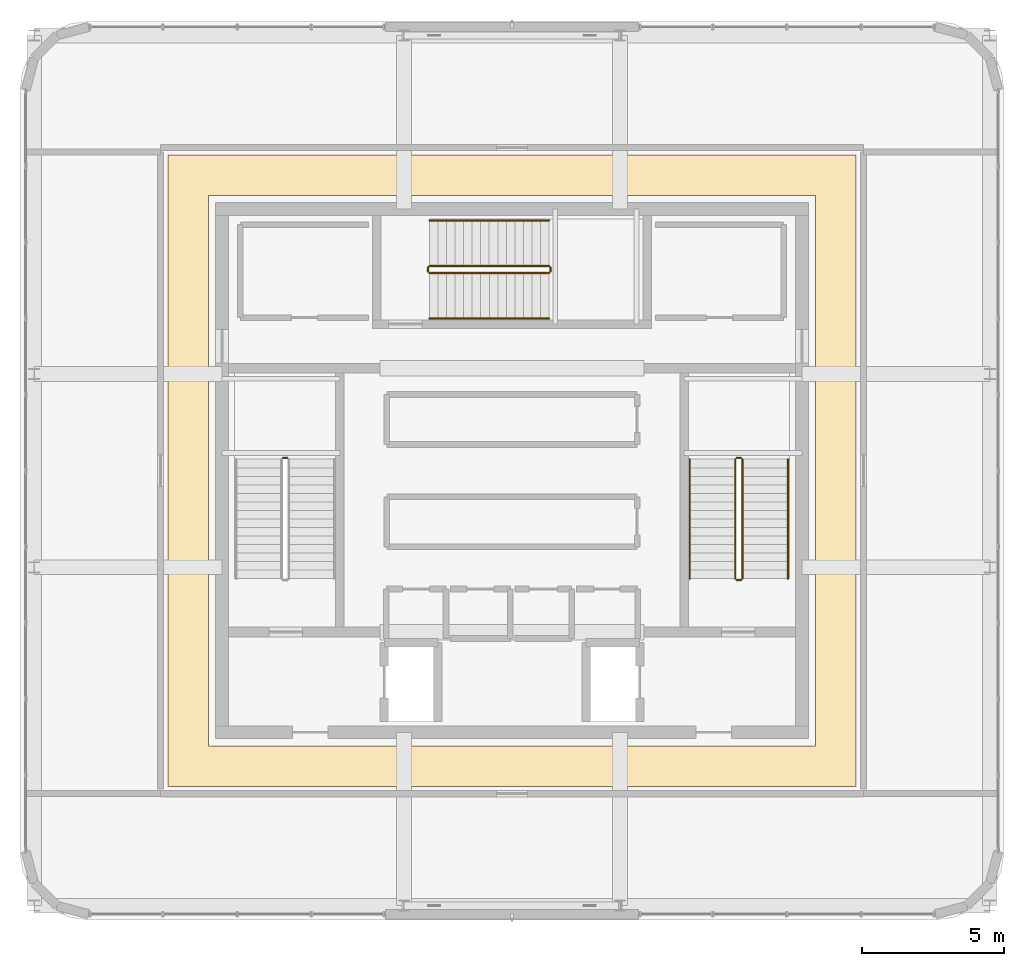
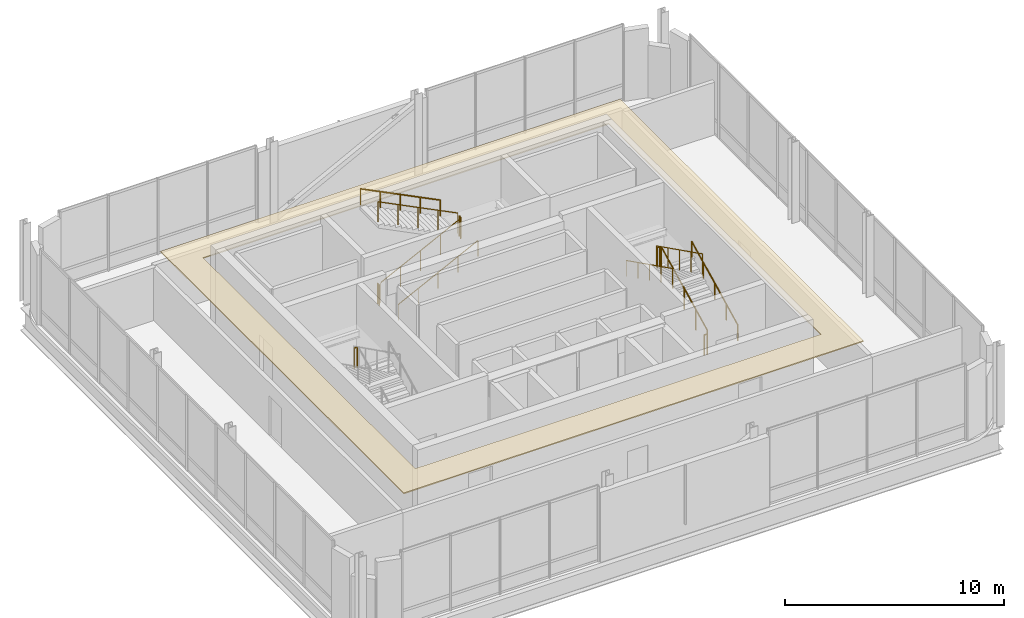
# One storey, part 24 of 25: 13 railings, 1 covering.
"""IFC4 building model written with IfcOpenShell, lengths in metres."""

import ifcopenshell
import ifcopenshell.guid

model = None  # the IFC model being written
_history = None  # IfcOwnerHistory: only IFC2X3 demands one
_inside = {}  # id of a spatial element -> (the spatial element, [elements in it])
_under = {}  # id of a project, library or spatial element -> (it, [spatial elements below it])
_declared = {}  # id of a project -> (the project, [libraries it declares])
_typed = {}  # id of a type object -> (the type object, [elements of that type])
_made_of = {}  # id of a material, layer set ... -> (it, [elements and type objects made of it])


def new_model(schema):
    """Start an empty IFC model of exactly this schema.

    Asked for "IFC4X3", IfcOpenShell would pick the latest addendum, in which some entities
    have other attributes; the version numbers below select the first issue.
    IFC2X3 requires an IfcOwnerHistory on every rooted entity: one is made here for all.
    """
    global model, _history
    if schema == "IFC4X3":
        model = ifcopenshell.file(schema_version=(4, 3, 0, 0))
    else:
        model = ifcopenshell.file(schema=schema)
    _inside.clear()
    _under.clear()
    _declared.clear()
    _typed.clear()
    _made_of.clear()
    _history = None
    if model.schema == "IFC2X3":
        org = make("IfcOrganization", Name="unknown")
        user = make(
            "IfcPersonAndOrganization",
            ThePerson=make("IfcPerson", FamilyName="unknown"),
            TheOrganization=org,
        )
        app = make(
            "IfcApplication",
            ApplicationDeveloper=org,
            Version="unknown",
            ApplicationFullName="unknown",
            ApplicationIdentifier="unknown",
        )
        _history = make(
            "IfcOwnerHistory",
            OwningUser=user,
            OwningApplication=app,
            ChangeAction="ADDED",
            CreationDate=0,
        )
    return model


def make(cls, **values):
    """One entity of the class cls with the attributes given. An attribute that is None is left unset."""
    return model.create_entity(
        cls, **{name: value for name, value in values.items() if value is not None}
    )


def rooted(cls, **values):
    """An entity with a GlobalId (a new one), such as an element, a storey or a relation."""
    return make(cls, GlobalId=ifcopenshell.guid.new(), OwnerHistory=_history, **values)


def si_unit(unit_type, name, prefix=None):
    """IfcSIUnit, for example si_unit("LENGTHUNIT", "METRE", prefix="MILLI")."""
    return make("IfcSIUnit", UnitType=unit_type, Prefix=prefix, Name=name)


def assignment(units):
    """IfcUnitAssignment: the units of a project."""
    return None if units is None else make("IfcUnitAssignment", Units=units)


def point(xyz):
    """IfcCartesianPoint."""
    return None if xyz is None else make("IfcCartesianPoint", Coordinates=xyz)


def direction(xyz):
    """IfcDirection."""
    return None if xyz is None else make("IfcDirection", DirectionRatios=xyz)


def frame(location, z_axis=None, x_axis=None):
    """IfcAxis2Placement3D, a coordinate frame: its origin and axes. An axis left out is left unset."""
    return make(
        "IfcAxis2Placement3D",
        Location=point(location),
        Axis=direction(z_axis),
        RefDirection=direction(x_axis),
    )


def frame_2d(location, x_axis=None):
    """IfcAxis2Placement2D, a coordinate frame in the plane: its origin and x axis."""
    return make(
        "IfcAxis2Placement2D", Location=point(location), RefDirection=direction(x_axis)
    )


def origin():
    """The frame at (0, 0, 0) with its axes left unset."""
    return frame((0.0, 0.0, 0.0))


def origin_2d():
    """The frame at (0, 0) in the plane with its x axis left unset."""
    return frame_2d((0.0, 0.0))


def place(relative_to, where):
    """IfcLocalPlacement: puts the frame where relative to a parent placement (None: the world)."""
    return make(
        "IfcLocalPlacement", PlacementRelTo=relative_to, RelativePlacement=where
    )


def context(
    kind, dimensions, precision=None, world=None, true_north=None, identifier=None
):
    """IfcGeometricRepresentationContext, for example the 3D "Model" context."""
    return make(
        "IfcGeometricRepresentationContext",
        ContextIdentifier=identifier,
        ContextType=kind,
        CoordinateSpaceDimension=dimensions,
        Precision=precision,
        WorldCoordinateSystem=world,
        TrueNorth=true_north,
    )


def subcontext(parent, identifier, kind, view, scale=None):
    """IfcGeometricRepresentationSubContext, for example "Body" below "Model"."""
    return make(
        "IfcGeometricRepresentationSubContext",
        ContextIdentifier=identifier,
        ContextType=kind,
        ParentContext=parent,
        TargetScale=scale,
        TargetView=view,
    )


def project(units=None, contexts=None):
    """IfcProject with its units and contexts."""
    return rooted(
        "IfcProject",
        Name="project",
        RepresentationContexts=contexts,
        UnitsInContext=assignment(units),
    )


def spatial(cls, under=None, at=None, **own):
    """A site, building, storey or space (cls), placed at a placement, below another one or the project."""
    s = rooted(cls, ObjectPlacement=at, **own)
    if under is not None:
        _under.setdefault(under.id(), (under, []))[1].append(s)
    return s


def polyline(points):
    """IfcPolyline through the points."""
    return make("IfcPolyline", Points=[point(p) for p in points])


def profile(cls, at=None, kind="AREA", **sizes):
    """A parametric profile (cls). Its sizes go by their IFC names, for example OverallWidth=200.0."""
    return make(cls, ProfileType=kind, Position=at, **sizes)


def circle(**sizes):
    """IfcCircleProfileDef."""
    return profile("IfcCircleProfileDef", **sizes)


def outline(outer, holes=None, kind="AREA"):
    """IfcArbitraryClosedProfileDef: a profile drawn as a closed curve; with holes, ...WithVoids."""
    if holes is None:
        return make("IfcArbitraryClosedProfileDef", ProfileType=kind, OuterCurve=outer)
    return make(
        "IfcArbitraryProfileDefWithVoids",
        ProfileType=kind,
        OuterCurve=outer,
        InnerCurves=holes,
    )


def extrude(swept, where, along, depth):
    """IfcExtrudedAreaSolid: the profile swept, set in the frame where, extruded along a direction by depth."""
    return make(
        "IfcExtrudedAreaSolid",
        SweptArea=swept,
        Position=where,
        ExtrudedDirection=direction(along),
        Depth=depth,
    )


def shape(context_of_items, identifier, shape_type, items):
    """IfcShapeRepresentation: the items that make up one representation, for example the "Body"."""
    return make(
        "IfcShapeRepresentation",
        ContextOfItems=context_of_items,
        RepresentationIdentifier=identifier,
        RepresentationType=shape_type,
        Items=items,
    )


def material(Name=None, Category=None):
    """IfcMaterial."""
    return make("IfcMaterial", Name=Name, Category=Category)


def layer(
    of_material, thickness, ventilated=None, Name=None, Category=None, Priority=None
):
    """IfcMaterialLayer: one layer of a wall or slab, of a material (None: an air gap)."""
    return make(
        "IfcMaterialLayer",
        Material=of_material,
        LayerThickness=thickness,
        IsVentilated=ventilated,
        Name=Name,
        Category=Category,
        Priority=Priority,
    )


def layer_set(layers, Name=None):
    """IfcMaterialLayerSet."""
    return make("IfcMaterialLayerSet", MaterialLayers=layers, LayerSetName=Name)


def made_of(thing, what):
    """Note that an element or type object is made of a material, layer set ...; save() writes the relation."""
    if what is not None:
        _made_of.setdefault(what.id(), (what, []))[1].append(thing)
    return thing


def type_object(cls, material=None, **own):
    """A type object (cls), such as IfcWallType, which elements share."""
    return made_of(rooted(cls, **own), material)


def element(
    cls,
    number,
    at=None,
    inside=None,
    cuts=None,
    type_object=None,
    material=None,
    context=None,
    identifier="Body",
    shape_type=None,
    held_by="IfcProductDefinitionShape",
    body=None,
    shapes=None,
    **own,
):
    """One element of the class cls, such as IfcWall. Its Tag is "e" and its number.

    at: its placement. inside: the storey or other place that contains it. cuts: it is an
    opening in that element (IfcRelVoidsElement). A single representation is given by context,
    identifier, shape_type and body (its items); several are given by shapes. held_by: the class
    of the entity that holds the representations. save() writes the other relations.
    """
    e = rooted(cls, Tag="e%d" % number, ObjectPlacement=at, **own)
    if body is not None:
        shapes = [shape(context, identifier, shape_type, body)]
    if shapes is not None:
        e.Representation = make(held_by, Representations=shapes)
    if inside is not None:
        _inside.setdefault(inside.id(), (inside, []))[1].append(e)
    if cuts is not None:
        rooted(
            "IfcRelVoidsElement", RelatingBuildingElement=cuts, RelatedOpeningElement=e
        )
    if type_object is not None:
        _typed.setdefault(type_object.id(), (type_object, []))[1].append(e)
    return made_of(e, material)


def aggregate(whole, parts):
    """IfcRelAggregates: a whole, such as a stair, and the parts it consists of."""
    return rooted("IfcRelAggregates", RelatingObject=whole, RelatedObjects=parts)


def save(model, path):
    """Write the relations noted so far, then the file.

    IfcRelAggregates (storeys below a building ...), IfcRelContainedInSpatialStructure (elements
    in a storey), IfcRelDefinesByType, IfcRelAssociatesMaterial and IfcRelDeclares: one each for
    every whole, place, type object, material and project.
    """
    for whole, parts in _under.values():
        aggregate(whole, parts)
    for where, things in _inside.values():
        rooted(
            "IfcRelContainedInSpatialStructure",
            RelatedElements=things,
            RelatingStructure=where,
        )
    for kind, things in _typed.values():
        rooted("IfcRelDefinesByType", RelatedObjects=things, RelatingType=kind)
    for what, things in _made_of.values():
        rooted("IfcRelAssociatesMaterial", RelatedObjects=things, RelatingMaterial=what)
    for by, libraries in _declared.values():
        rooted("IfcRelDeclares", RelatingContext=by, RelatedDefinitions=libraries)
    model.write(path)


model = new_model("IFC4")

# Units and contexts
model_context = context("Model", 3, precision=1e-05, world=origin(), true_north=direction((0.0, 1.0)))
body_context = subcontext(model_context, "Body", "Model", "MODEL_VIEW")
ifc_project = project(units=[si_unit("LENGTHUNIT", "METRE"), si_unit("AREAUNIT", "SQUARE_METRE"), si_unit("VOLUMEUNIT", "CUBIC_METRE"), si_unit("PLANEANGLEUNIT", "RADIAN"), si_unit("MASSUNIT", "GRAM", prefix="KILO")], contexts=[model_context])

# Site, building, storey
site_placement = place(None, origin())
site = spatial("IfcSite", under=ifc_project, at=site_placement, CompositionType="ELEMENT")
building_placement = place(site_placement, origin())
building = spatial("IfcBuilding", under=site, at=building_placement, Name="Punatoya Terracotta Tower", CompositionType="ELEMENT")
storey_placement = place(building_placement, frame((0.0, 0.0, 357.300048828125)))
storey = spatial("IfcBuildingStorey", under=building, at=storey_placement, Name="L84", CompositionType="ELEMENT", Elevation=357.300048828125)

# Covering
ifc_material_1 = material(Name="Acoustic Mineral Fibre Ceiling")
ifc_layer = layer(ifc_material_1, 0.06005859375)
ifc_layer_set = layer_set([ifc_layer], Name="Acoustic Mineral Fibre Ceiling")
covering_type = type_object("IfcCoveringType", Name="COV-CEIL-60", PredefinedType="CEILING", material=ifc_layer_set)
covering_placement = place(storey_placement, frame((0.0, 0.0, 3.669921875)))
element("IfcCovering", 1, at=covering_placement, inside=storey, type_object=covering_type, Name="L84 Baradari Crown Plant Ring Corridor Acoustic Ceiling", PredefinedType="CEILING", context=body_context, shape_type="SweptSolid", body=[
    extrude(outline(polyline([(-12.10009765625, 11.10009765625), (-12.10009765625, -11.10009765625), (12.10009765625, -11.10009765625), (12.10009765625, 11.10009765625), (-12.10009765625, 11.10009765625)]), holes=[polyline([(-10.679931640625, 9.679931640625), (10.679931640625, 9.679931640625), (10.679931640625, -9.679931640625), (-10.679931640625, -9.679931640625), (-10.679931640625, 9.679931640625)])]), origin(), (0.0, 0.0, 1.0), 0.06005859375),
])

# Railings
ifc_material_2 = material(Name="Steel S355", Category="steel")
railing_type_1 = type_object("IfcRailingType", Name="RLG-GRD-1150", PredefinedType="GUARDRAIL", material=ifc_material_2)
railing_1_placement = place(storey_placement, frame((-7.89990234375, 0.449951171875, 2.25)))
element("IfcRailing", 2, at=railing_1_placement, inside=storey, type_object=railing_type_1, Name="L84 ST-1 stair guard 2", PredefinedType="GUARDRAIL", context=body_context, shape_type="SweptSolid", body=[
    extrude(circle(Radius=0.02392578125, at=origin_2d()), frame((0.0, 0.0, 1.1259765625), z_axis=(-1.0, 0.0, 0.0), x_axis=(0.0, -1.0, 0.0)), (0.0, 0.0, 1.0), 0.150146484375),
    extrude(circle(Radius=0.02099609375, at=origin_2d()), origin(), (0.0, 0.0, 1.0), 1.101806640625),
    extrude(circle(Radius=0.02099609375, at=origin_2d()), frame((-0.150146484375, 0.0, 0.0)), (0.0, 0.0, 1.0), 1.101806640625),
])
railing_2_placement = place(storey_placement, frame((8.10009765625, -3.800048828125, 0.14990234375)))
element("IfcRailing", 3, at=railing_2_placement, inside=storey, type_object=railing_type_1, Name="L84 ST-2 stair guard 1", PredefinedType="GUARDRAIL", context=body_context, shape_type="SweptSolid", body=[
    extrude(circle(Radius=0.02392578125, at=origin_2d()), frame((0.0, 0.0, 1.1259765625), z_axis=(0.0, 0.894416792377, 0.447234392142), x_axis=(-1.0, 0.0, 0.0)), (0.0, 0.0, 1.0), 4.69580078125),
    extrude(circle(Radius=0.02099609375, at=origin_2d()), origin(), (0.0, 0.0, 1.0), 1.101806640625),
    extrude(circle(Radius=0.02099609375, at=origin_2d()), frame((0.0, 1.050048828125, 0.52490234375)), (0.0, 0.0, 1.0), 1.101806640625),
    extrude(circle(Radius=0.02099609375, at=origin_2d()), frame((0.0, 2.10009765625, 1.050048828125)), (0.0, 0.0, 1.0), 1.101806640625),
    extrude(circle(Radius=0.02099609375, at=origin_2d()), frame((0.0, 3.14990234375, 1.5751953125)), (0.0, 0.0, 1.0), 1.101806640625),
    extrude(circle(Radius=0.02099609375, at=origin_2d()), frame((0.0, 4.199951171875, 2.10009765625)), (0.0, 0.0, 1.0), 1.101806640625),
])
railing_3_placement = place(storey_placement, frame((8.050048828125, 0.449951171875, 2.25)))
element("IfcRailing", 4, at=railing_3_placement, inside=storey, type_object=railing_type_1, Name="L84 ST-2 stair guard 2", PredefinedType="GUARDRAIL", context=body_context, shape_type="SweptSolid", body=[
    extrude(circle(Radius=0.02392578125, at=origin_2d()), frame((0.0, 0.0, 1.1259765625), z_axis=(-1.0, 0.0, 0.0), x_axis=(0.0, -1.0, 0.0)), (0.0, 0.0, 1.0), 0.150146484375),
    extrude(circle(Radius=0.02099609375, at=origin_2d()), origin(), (0.0, 0.0, 1.0), 1.101806640625),
    extrude(circle(Radius=0.02099609375, at=origin_2d()), frame((-0.150146484375, 0.0, 0.0)), (0.0, 0.0, 1.0), 1.101806640625),
])
railing_4_placement = place(storey_placement, frame((7.85009765625, 0.39990234375, 2.39990234375)))
element("IfcRailing", 5, at=railing_4_placement, inside=storey, type_object=railing_type_1, Name="L84 ST-2 stair guard 3", PredefinedType="GUARDRAIL", context=body_context, shape_type="SweptSolid", body=[
    extrude(circle(Radius=0.02392578125, at=origin_2d()), frame((0.0, 0.0, 1.1259765625), z_axis=(0.0, -0.894416792377, 0.447234392142), x_axis=(1.0, 0.0, 0.0)), (0.0, 0.0, 1.0), 4.69580078125),
    extrude(circle(Radius=0.02099609375, at=origin_2d()), origin(), (0.0, 0.0, 1.0), 1.101806640625),
    extrude(circle(Radius=0.02099609375, at=origin_2d()), frame((0.0, -1.050048828125, 0.52490234375)), (0.0, 0.0, 1.0), 1.101806640625),
    extrude(circle(Radius=0.02099609375, at=origin_2d()), frame((0.0, -2.10009765625, 1.050048828125)), (0.0, 0.0, 1.0), 1.101806640625),
    extrude(circle(Radius=0.02099609375, at=origin_2d()), frame((0.0, -3.14990234375, 1.5751953125)), (0.0, 0.0, 1.0), 1.101806640625),
    extrude(circle(Radius=0.02099609375, at=origin_2d()), frame((0.0, -4.199951171875, 2.10009765625)), (0.0, 0.0, 1.0), 1.101806640625),
])
railing_5_placement = place(storey_placement, frame((8.050048828125, -3.85009765625, 0.0)))
element("IfcRailing", 6, at=railing_5_placement, inside=storey, type_object=railing_type_1, Name="L84 ST-2 stair guard 4", PredefinedType="GUARDRAIL", context=body_context, shape_type="SweptSolid", body=[
    extrude(circle(Radius=0.02392578125, at=origin_2d()), frame((0.0, 0.0, 1.1259765625), z_axis=(-1.0, 0.0, 0.0), x_axis=(0.0, -1.0, 0.0)), (0.0, 0.0, 1.0), 0.150146484375),
    extrude(circle(Radius=0.02099609375, at=origin_2d()), origin(), (0.0, 0.0, 1.0), 1.101806640625),
    extrude(circle(Radius=0.02099609375, at=origin_2d()), frame((-0.150146484375, 0.0, 0.0)), (0.0, 0.0, 1.0), 1.101806640625),
])
railing_6_placement = place(storey_placement, frame((-2.89990234375, 6.949951171875, 0.14990234375)))
element("IfcRailing", 7, at=railing_6_placement, inside=storey, type_object=railing_type_1, Name="L84 ST-3 stair guard 1", PredefinedType="GUARDRAIL", context=body_context, shape_type="SweptSolid", body=[
    extrude(circle(Radius=0.02392578125, at=origin_2d()), frame((0.0, 0.0, 1.1259765625), z_axis=(0.894416792377, 0.0, 0.447234392142), x_axis=(0.0, 1.0, 0.0)), (0.0, 0.0, 1.0), 4.69580078125),
    extrude(circle(Radius=0.02099609375, at=origin_2d()), origin(), (0.0, 0.0, 1.0), 1.101806640625),
    extrude(circle(Radius=0.02099609375, at=origin_2d()), frame((1.050048828125, 0.0, 0.52490234375)), (0.0, 0.0, 1.0), 1.101806640625),
    extrude(circle(Radius=0.02099609375, at=origin_2d()), frame((2.10009765625, 0.0, 1.050048828125)), (0.0, 0.0, 1.0), 1.101806640625),
    extrude(circle(Radius=0.02099609375, at=origin_2d()), frame((3.14990234375, 0.0, 1.5751953125)), (0.0, 0.0, 1.0), 1.101806640625),
    extrude(circle(Radius=0.02099609375, at=origin_2d()), frame((4.199951171875, 0.0, 2.10009765625)), (0.0, 0.0, 1.0), 1.101806640625),
])
railing_7_placement = place(storey_placement, frame((1.35009765625, 7.0, 2.25)))
element("IfcRailing", 8, at=railing_7_placement, inside=storey, type_object=railing_type_1, Name="L84 ST-3 stair guard 2", PredefinedType="GUARDRAIL", context=body_context, shape_type="SweptSolid", body=[
    extrude(circle(Radius=0.02392578125, at=origin_2d()), frame((0.0, 0.0, 1.1259765625), z_axis=(0.0, 1.0, 0.0), x_axis=(-1.0, 0.0, 0.0)), (0.0, 0.0, 1.0), 0.14990234375),
    extrude(circle(Radius=0.02099609375, at=origin_2d()), origin(), (0.0, 0.0, 1.0), 1.101806640625),
    extrude(circle(Radius=0.02099609375, at=origin_2d()), frame((0.0, 0.14990234375, 0.0)), (0.0, 0.0, 1.0), 1.101806640625),
])
railing_8_placement = place(storey_placement, frame((1.300048828125, 7.199951171875, 2.39990234375)))
element("IfcRailing", 9, at=railing_8_placement, inside=storey, type_object=railing_type_1, Name="L84 ST-3 stair guard 3", PredefinedType="GUARDRAIL", context=body_context, shape_type="SweptSolid", body=[
    extrude(circle(Radius=0.02392578125, at=origin_2d()), frame((0.0, 0.0, 1.1259765625), z_axis=(-0.894416792377, 0.0, 0.447234392142), x_axis=(0.0, -1.0, 0.0)), (0.0, 0.0, 1.0), 4.69580078125),
    extrude(circle(Radius=0.02099609375, at=origin_2d()), origin(), (0.0, 0.0, 1.0), 1.101806640625),
    extrude(circle(Radius=0.02099609375, at=origin_2d()), frame((-1.050048828125, 0.0, 0.52490234375)), (0.0, 0.0, 1.0), 1.101806640625),
    extrude(circle(Radius=0.02099609375, at=origin_2d()), frame((-2.10009765625, 0.0, 1.050048828125)), (0.0, 0.0, 1.0), 1.101806640625),
    extrude(circle(Radius=0.02099609375, at=origin_2d()), frame((-3.14990234375, 0.0, 1.5751953125)), (0.0, 0.0, 1.0), 1.101806640625),
    extrude(circle(Radius=0.02099609375, at=origin_2d()), frame((-4.199951171875, 0.0, 2.10009765625)), (0.0, 0.0, 1.0), 1.101806640625),
])
railing_9_placement = place(storey_placement, frame((-2.949951171875, 7.0, 0.0)))
element("IfcRailing", 10, at=railing_9_placement, inside=storey, type_object=railing_type_1, Name="L84 ST-3 stair guard 4", PredefinedType="GUARDRAIL", context=body_context, shape_type="SweptSolid", body=[
    extrude(circle(Radius=0.02392578125, at=origin_2d()), frame((0.0, 0.0, 1.1259765625), z_axis=(0.0, 1.0, 0.0), x_axis=(-1.0, 0.0, 0.0)), (0.0, 0.0, 1.0), 0.14990234375),
    extrude(circle(Radius=0.02099609375, at=origin_2d()), origin(), (0.0, 0.0, 1.0), 1.101806640625),
    extrude(circle(Radius=0.02099609375, at=origin_2d()), frame((0.0, 0.14990234375, 0.0)), (0.0, 0.0, 1.0), 1.101806640625),
])
railing_type_2 = type_object("IfcRailingType", Name="RLG-HND-900", PredefinedType="HANDRAIL", material=ifc_material_2)
railing_10_placement = place(storey_placement, frame((9.699951171875, -3.800048828125, 0.14990234375)))
element("IfcRailing", 11, at=railing_10_placement, inside=storey, type_object=railing_type_2, Name="L84 ST-2 stair handrail 1", PredefinedType="HANDRAIL", context=body_context, shape_type="SweptSolid", body=[
    extrude(circle(Radius=0.02392578125, at=origin_2d()), frame((0.0, 0.0, 0.8759765625), z_axis=(0.0, 0.894416792377, 0.447234392142), x_axis=(-1.0, 0.0, 0.0)), (0.0, 0.0, 1.0), 4.69580078125),
    extrude(circle(Radius=0.02099609375, at=origin_2d()), origin(), (0.0, 0.0, 1.0), 0.851806640625),
    extrude(circle(Radius=0.02099609375, at=origin_2d()), frame((0.0, 1.050048828125, 0.52490234375)), (0.0, 0.0, 1.0), 0.851806640625),
    extrude(circle(Radius=0.02099609375, at=origin_2d()), frame((0.0, 2.10009765625, 1.050048828125)), (0.0, 0.0, 1.0), 0.851806640625),
    extrude(circle(Radius=0.02099609375, at=origin_2d()), frame((0.0, 3.14990234375, 1.5751953125)), (0.0, 0.0, 1.0), 0.851806640625),
    extrude(circle(Radius=0.02099609375, at=origin_2d()), frame((0.0, 4.199951171875, 2.10009765625)), (0.0, 0.0, 1.0), 0.851806640625),
])
railing_11_placement = place(storey_placement, frame((6.25, 0.39990234375, 2.39990234375)))
element("IfcRailing", 12, at=railing_11_placement, inside=storey, type_object=railing_type_2, Name="L84 ST-2 stair handrail 2", PredefinedType="HANDRAIL", context=body_context, shape_type="SweptSolid", body=[
    extrude(circle(Radius=0.02392578125, at=origin_2d()), frame((0.0, 0.0, 0.8759765625), z_axis=(0.0, -0.894416792377, 0.447234392142), x_axis=(1.0, 0.0, 0.0)), (0.0, 0.0, 1.0), 4.69580078125),
    extrude(circle(Radius=0.02099609375, at=origin_2d()), origin(), (0.0, 0.0, 1.0), 0.851806640625),
    extrude(circle(Radius=0.02099609375, at=origin_2d()), frame((0.0, -1.050048828125, 0.52490234375)), (0.0, 0.0, 1.0), 0.851806640625),
    extrude(circle(Radius=0.02099609375, at=origin_2d()), frame((0.0, -2.10009765625, 1.050048828125)), (0.0, 0.0, 1.0), 0.851806640625),
    extrude(circle(Radius=0.02099609375, at=origin_2d()), frame((0.0, -3.14990234375, 1.5751953125)), (0.0, 0.0, 1.0), 0.851806640625),
    extrude(circle(Radius=0.02099609375, at=origin_2d()), frame((0.0, -4.199951171875, 2.10009765625)), (0.0, 0.0, 1.0), 0.851806640625),
])
railing_12_placement = place(storey_placement, frame((-2.89990234375, 5.35009765625, 0.14990234375)))
element("IfcRailing", 13, at=railing_12_placement, inside=storey, type_object=railing_type_2, Name="L84 ST-3 stair handrail 1", PredefinedType="HANDRAIL", context=body_context, shape_type="SweptSolid", body=[
    extrude(circle(Radius=0.02392578125, at=origin_2d()), frame((0.0, 0.0, 0.8759765625), z_axis=(0.894416792377, 0.0, 0.447234392142), x_axis=(0.0, 1.0, 0.0)), (0.0, 0.0, 1.0), 4.69580078125),
    extrude(circle(Radius=0.02099609375, at=origin_2d()), origin(), (0.0, 0.0, 1.0), 0.851806640625),
    extrude(circle(Radius=0.02099609375, at=origin_2d()), frame((1.050048828125, 0.0, 0.52490234375)), (0.0, 0.0, 1.0), 0.851806640625),
    extrude(circle(Radius=0.02099609375, at=origin_2d()), frame((2.10009765625, 0.0, 1.050048828125)), (0.0, 0.0, 1.0), 0.851806640625),
    extrude(circle(Radius=0.02099609375, at=origin_2d()), frame((3.14990234375, 0.0, 1.5751953125)), (0.0, 0.0, 1.0), 0.851806640625),
    extrude(circle(Radius=0.02099609375, at=origin_2d()), frame((4.199951171875, 0.0, 2.10009765625)), (0.0, 0.0, 1.0), 0.851806640625),
])
railing_13_placement = place(storey_placement, frame((1.300048828125, 8.800048828125, 2.39990234375)))
element("IfcRailing", 14, at=railing_13_placement, inside=storey, type_object=railing_type_2, Name="L84 ST-3 stair handrail 2", PredefinedType="HANDRAIL", context=body_context, shape_type="SweptSolid", body=[
    extrude(circle(Radius=0.02392578125, at=origin_2d()), frame((0.0, 0.0, 0.8759765625), z_axis=(-0.894416792377, 0.0, 0.447234392142), x_axis=(0.0, -1.0, 0.0)), (0.0, 0.0, 1.0), 4.69580078125),
    extrude(circle(Radius=0.02099609375, at=origin_2d()), origin(), (0.0, 0.0, 1.0), 0.851806640625),
    extrude(circle(Radius=0.02099609375, at=origin_2d()), frame((-1.050048828125, 0.0, 0.52490234375)), (0.0, 0.0, 1.0), 0.851806640625),
    extrude(circle(Radius=0.02099609375, at=origin_2d()), frame((-2.10009765625, 0.0, 1.050048828125)), (0.0, 0.0, 1.0), 0.851806640625),
    extrude(circle(Radius=0.02099609375, at=origin_2d()), frame((-3.14990234375, 0.0, 1.5751953125)), (0.0, 0.0, 1.0), 0.851806640625),
    extrude(circle(Radius=0.02099609375, at=origin_2d()), frame((-4.199951171875, 0.0, 2.10009765625)), (0.0, 0.0, 1.0), 0.851806640625),
])

save(model, "model.ifc")
